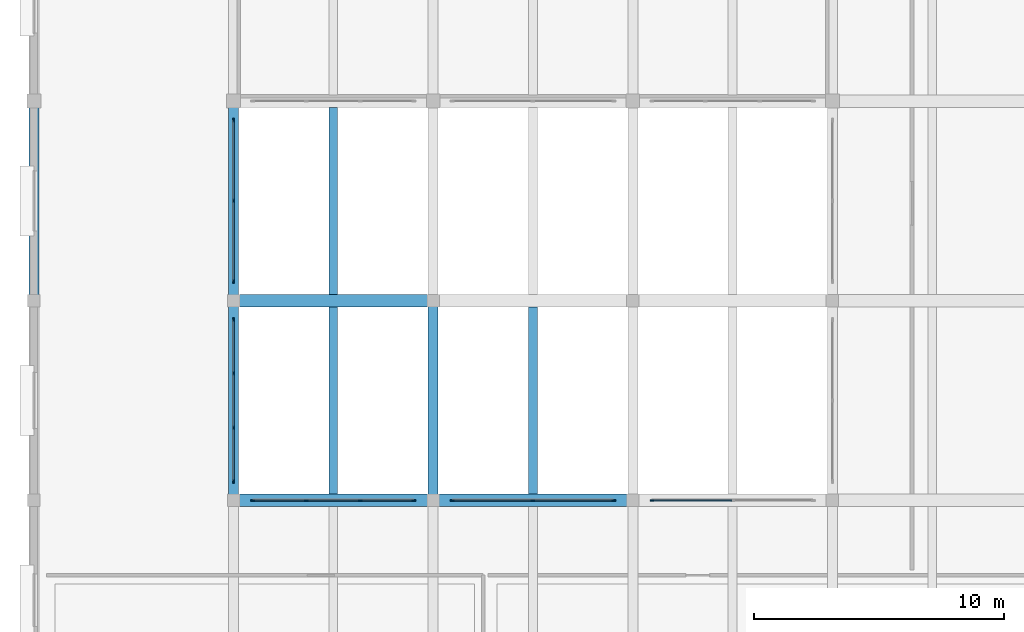
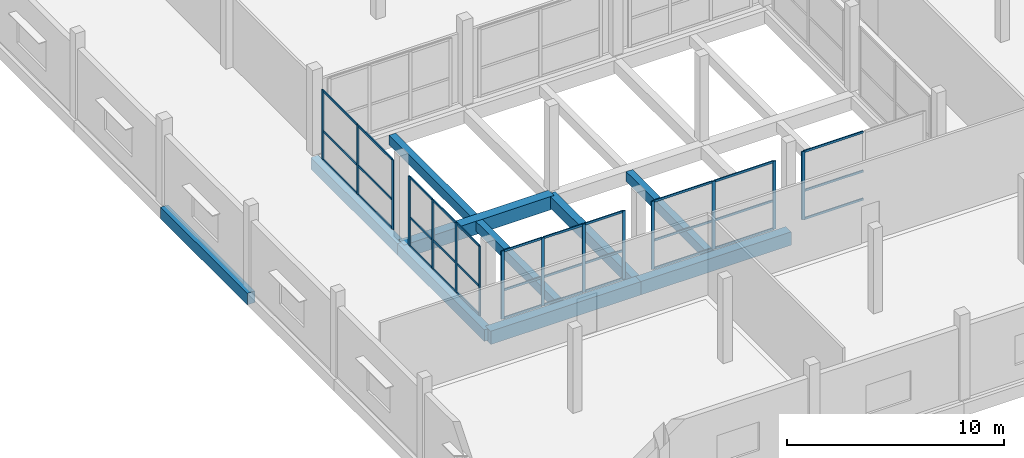
# One storey, part 4 of 47: 48 members, 10 beams, 5 elements without a shape of their own.
"""IFC4 building model written with IfcOpenShell, lengths in metres."""

from ifc_helpers import new_model, si_unit, direction, frame, origin, origin_2d, place, context, subcontext, project, spatial, rectangle, extrude, material, material_profile, profile_set, type_object, element, aggregate, save


model = new_model("IFC4")

# Units and contexts
model_context = context("Model", 3, precision=1e-05, world=origin(), true_north=direction((0.0, 1.0)))
body_context = subcontext(model_context, "Body", "Model", "MODEL_VIEW")
ifc_project = project(units=[si_unit("LENGTHUNIT", "METRE"), si_unit("AREAUNIT", "SQUARE_METRE"), si_unit("VOLUMEUNIT", "CUBIC_METRE"), si_unit("PLANEANGLEUNIT", "RADIAN"), si_unit("MASSUNIT", "GRAM", prefix="KILO")], contexts=[model_context])

# Site, building, storey
site_placement = place(None, origin())
site = spatial("IfcSite", under=ifc_project, at=site_placement, CompositionType="ELEMENT")
building_placement = place(site_placement, origin())
building = spatial("IfcBuilding", under=site, at=building_placement, Name="Vharandega Faculty of Natural Sciences", CompositionType="ELEMENT")
storey_placement = place(building_placement, frame((0.0, 0.0, 5.39990234375)))
storey = spatial("IfcBuildingStorey", under=building, at=storey_placement, Name="L01", CompositionType="ELEMENT", Elevation=5.39990234375)

# Curtain wall, members
ifc_material_1 = material(Name="Aluminium and solar-control glass curtain wall", Category="aluminium")
curtain_wall_type_1 = type_object("IfcCurtainWallType", Name="Unitised Curtain Wall System CW-10", PredefinedType="NOTDEFINED", material=ifc_material_1)
curtain_wall_1_placement = place(storey_placement, origin())
curtain_wall_1 = element("IfcCurtainWall", 1, at=curtain_wall_1_placement, inside=storey, type_object=curtain_wall_type_1, Name="Curtain Wall CW-L01-121", PredefinedType="NOTDEFINED")
ifc_material_2 = material(Name="Thermally broken aluminium 6063-T6", Category="aluminium")
ifc_material_profile_1 = material_profile(ifc_material_2, rectangle(XDim=0.06005859375, YDim=0.159912109375, at=origin_2d()), Name="ALU 60x160")
ifc_profile_set_1 = profile_set([ifc_material_profile_1], Name="Thermally broken aluminium 6063-T6")
member_type_1 = type_object("IfcMemberType", Name="CW Mullion 60x160", PredefinedType="MULLION", material=ifc_profile_set_1)
member_1_placement = place(storey_placement, frame((8.77001953125, 16.0, 0.0), z_axis=(0.0, 0.0, 1.0), x_axis=(0.0, 1.0, 0.0)))
member_1 = element("IfcMember", 2, at=member_1_placement, type_object=member_type_1, Name="CW-10 mullion 1", PredefinedType="MULLION", context=body_context, shape_type="SweptSolid", body=[
    extrude(rectangle(XDim=0.06005859375, YDim=0.159912109375, at=origin_2d()), origin(), (0.0, 0.0, 1.0), 3.840087890625),
])
member_2_placement = place(storey_placement, frame((10.913330078125, 16.0, 0.0), z_axis=(0.0, 0.0, 1.0), x_axis=(0.0, 1.0, 0.0)))
member_2 = element("IfcMember", 3, at=member_2_placement, type_object=member_type_1, Name="CW-10 mullion 2", PredefinedType="MULLION", context=body_context, shape_type="SweptSolid", body=[
    extrude(rectangle(XDim=0.06005859375, YDim=0.159912109375, at=origin_2d()), origin(), (0.0, 0.0, 1.0), 3.840087890625),
])
member_3_placement = place(storey_placement, frame((13.086669921875, 16.0, 0.0), z_axis=(0.0, 0.0, 1.0), x_axis=(0.0, 1.0, 0.0)))
member_3 = element("IfcMember", 4, at=member_3_placement, type_object=member_type_1, Name="CW-10 mullion 3", PredefinedType="MULLION", context=body_context, shape_type="SweptSolid", body=[
    extrude(rectangle(XDim=0.06005859375, YDim=0.159912109375, at=origin_2d()), origin(), (0.0, 0.0, 1.0), 3.840087890625),
])
member_4_placement = place(storey_placement, frame((15.22998046875, 16.0, 0.0), z_axis=(0.0, 0.0, 1.0), x_axis=(0.0, 1.0, 0.0)))
member_4 = element("IfcMember", 5, at=member_4_placement, type_object=member_type_1, Name="CW-10 mullion 4", PredefinedType="MULLION", context=body_context, shape_type="SweptSolid", body=[
    extrude(rectangle(XDim=0.06005859375, YDim=0.159912109375, at=origin_2d()), origin(), (0.0, 0.0, 1.0), 3.840087890625),
])

ifc_material_3 = material(Name="Aluminium and solar-control glass curtain wall", Category="aluminium")
curtain_wall_type_2 = type_object("IfcCurtainWallType", Name="Unitised Curtain Wall System CW-12", PredefinedType="NOTDEFINED", material=ifc_material_3)
curtain_wall_2_placement = place(storey_placement, origin())
curtain_wall_2 = element("IfcCurtainWall", 6, at=curtain_wall_2_placement, inside=storey, type_object=curtain_wall_type_2, Name="Curtain Wall CW-L01-123", PredefinedType="NOTDEFINED")
member_5_placement = place(storey_placement, frame((16.77001953125, 16.0, 0.0), z_axis=(0.0, 0.0, 1.0), x_axis=(0.0, 1.0, 0.0)))
member_5 = element("IfcMember", 7, at=member_5_placement, type_object=member_type_1, Name="CW-12 mullion 1", PredefinedType="MULLION", context=body_context, shape_type="SweptSolid", body=[
    extrude(rectangle(XDim=0.06005859375, YDim=0.159912109375, at=origin_2d()), origin(), (0.0, 0.0, 1.0), 3.840087890625),
])
member_6_placement = place(storey_placement, frame((20.0, 16.0, 0.0), z_axis=(0.0, 0.0, 1.0), x_axis=(0.0, 1.0, 0.0)))
member_6 = element("IfcMember", 8, at=member_6_placement, type_object=member_type_1, Name="CW-12 mullion 2", PredefinedType="MULLION", context=body_context, shape_type="SweptSolid", body=[
    extrude(rectangle(XDim=0.06005859375, YDim=0.159912109375, at=origin_2d()), origin(), (0.0, 0.0, 1.0), 3.840087890625),
])
member_7_placement = place(storey_placement, frame((23.22998046875, 16.0, 0.0), z_axis=(0.0, 0.0, 1.0), x_axis=(0.0, 1.0, 0.0)))
member_7 = element("IfcMember", 9, at=member_7_placement, type_object=member_type_1, Name="CW-12 mullion 3", PredefinedType="MULLION", context=body_context, shape_type="SweptSolid", body=[
    extrude(rectangle(XDim=0.06005859375, YDim=0.159912109375, at=origin_2d()), origin(), (0.0, 0.0, 1.0), 3.840087890625),
])

# Curtain wall, member
ifc_material_4 = material(Name="Aluminium and solar-control glass curtain wall", Category="aluminium")
curtain_wall_type_3 = type_object("IfcCurtainWallType", Name="Unitised Curtain Wall System CW-14", PredefinedType="NOTDEFINED", material=ifc_material_4)
curtain_wall_3_placement = place(storey_placement, origin())
curtain_wall_3 = element("IfcCurtainWall", 10, at=curtain_wall_3_placement, inside=storey, type_object=curtain_wall_type_3, Name="Curtain Wall CW-L01-125", PredefinedType="NOTDEFINED")
member_8_placement = place(storey_placement, frame((24.77001953125, 16.0, 0.0), z_axis=(0.0, 0.0, 1.0), x_axis=(0.0, 1.0, 0.0)))
member_8 = element("IfcMember", 11, at=member_8_placement, type_object=member_type_1, Name="CW-14 mullion 1", PredefinedType="MULLION", context=body_context, shape_type="SweptSolid", body=[
    extrude(rectangle(XDim=0.06005859375, YDim=0.159912109375, at=origin_2d()), origin(), (0.0, 0.0, 1.0), 3.840087890625),
])

# Curtain wall, members
ifc_material_5 = material(Name="Aluminium and solar-control glass curtain wall", Category="aluminium")
curtain_wall_type_4 = type_object("IfcCurtainWallType", Name="Unitised Curtain Wall System CW-16", PredefinedType="NOTDEFINED", material=ifc_material_5)
curtain_wall_4_placement = place(storey_placement, origin())
curtain_wall_4 = element("IfcCurtainWall", 12, at=curtain_wall_4_placement, inside=storey, type_object=curtain_wall_type_4, Name="Curtain Wall CW-L01-127", PredefinedType="NOTDEFINED")
member_9_placement = place(storey_placement, frame((8.0, 16.77001953125, 0.0), z_axis=(0.0, 0.0, 1.0), x_axis=(-1.0, 0.0, 0.0)))
member_9 = element("IfcMember", 13, at=member_9_placement, type_object=member_type_1, Name="CW-16 mullion 1", PredefinedType="MULLION", context=body_context, shape_type="SweptSolid", body=[
    extrude(rectangle(XDim=0.06005859375, YDim=0.159912109375, at=origin_2d()), origin(), (0.0, 0.0, 1.0), 3.920166015625),
])
member_10_placement = place(storey_placement, frame((8.0, 18.913330078125, 0.0), z_axis=(0.0, 0.0, 1.0), x_axis=(-1.0, 0.0, 0.0)))
member_10 = element("IfcMember", 14, at=member_10_placement, type_object=member_type_1, Name="CW-16 mullion 2", PredefinedType="MULLION", context=body_context, shape_type="SweptSolid", body=[
    extrude(rectangle(XDim=0.06005859375, YDim=0.159912109375, at=origin_2d()), origin(), (0.0, 0.0, 1.0), 3.920166015625),
])
member_11_placement = place(storey_placement, frame((8.0, 21.086669921875, 0.0), z_axis=(0.0, 0.0, 1.0), x_axis=(-1.0, 0.0, 0.0)))
member_11 = element("IfcMember", 15, at=member_11_placement, type_object=member_type_1, Name="CW-16 mullion 3", PredefinedType="MULLION", context=body_context, shape_type="SweptSolid", body=[
    extrude(rectangle(XDim=0.06005859375, YDim=0.159912109375, at=origin_2d()), origin(), (0.0, 0.0, 1.0), 3.920166015625),
])
member_12_placement = place(storey_placement, frame((8.0, 23.22998046875, 0.0), z_axis=(0.0, 0.0, 1.0), x_axis=(-1.0, 0.0, 0.0)))
member_12 = element("IfcMember", 16, at=member_12_placement, type_object=member_type_1, Name="CW-16 mullion 4", PredefinedType="MULLION", context=body_context, shape_type="SweptSolid", body=[
    extrude(rectangle(XDim=0.06005859375, YDim=0.159912109375, at=origin_2d()), origin(), (0.0, 0.0, 1.0), 3.920166015625),
])

ifc_material_6 = material(Name="Aluminium and solar-control glass curtain wall", Category="aluminium")
curtain_wall_type_5 = type_object("IfcCurtainWallType", Name="Unitised Curtain Wall System CW-18", PredefinedType="NOTDEFINED", material=ifc_material_6)
curtain_wall_5_placement = place(storey_placement, origin())
curtain_wall_5 = element("IfcCurtainWall", 17, at=curtain_wall_5_placement, inside=storey, type_object=curtain_wall_type_5, Name="Curtain Wall CW-L01-129", PredefinedType="NOTDEFINED")
member_13_placement = place(storey_placement, frame((8.0, 24.77001953125, 0.0), z_axis=(0.0, 0.0, 1.0), x_axis=(-1.0, 0.0, 0.0)))
member_13 = element("IfcMember", 18, at=member_13_placement, type_object=member_type_1, Name="CW-18 mullion 1", PredefinedType="MULLION", context=body_context, shape_type="SweptSolid", body=[
    extrude(rectangle(XDim=0.06005859375, YDim=0.159912109375, at=origin_2d()), origin(), (0.0, 0.0, 1.0), 3.920166015625),
])
member_14_placement = place(storey_placement, frame((8.0, 28.0, 0.0), z_axis=(0.0, 0.0, 1.0), x_axis=(-1.0, 0.0, 0.0)))
member_14 = element("IfcMember", 19, at=member_14_placement, type_object=member_type_1, Name="CW-18 mullion 2", PredefinedType="MULLION", context=body_context, shape_type="SweptSolid", body=[
    extrude(rectangle(XDim=0.06005859375, YDim=0.159912109375, at=origin_2d()), origin(), (0.0, 0.0, 1.0), 3.920166015625),
])
member_15_placement = place(storey_placement, frame((8.0, 31.22998046875, 0.0), z_axis=(0.0, 0.0, 1.0), x_axis=(-1.0, 0.0, 0.0)))
member_15 = element("IfcMember", 20, at=member_15_placement, type_object=member_type_1, Name="CW-18 mullion 3", PredefinedType="MULLION", context=body_context, shape_type="SweptSolid", body=[
    extrude(rectangle(XDim=0.06005859375, YDim=0.159912109375, at=origin_2d()), origin(), (0.0, 0.0, 1.0), 3.920166015625),
])

# Member
ifc_material_7 = material(Name="Thermally broken aluminium 6063-T6", Category="aluminium")
ifc_material_profile_2 = material_profile(ifc_material_7, rectangle(XDim=0.06005859375, YDim=0.1201171875, at=origin_2d()), Name="ALU 60x120")
ifc_profile_set_2 = profile_set([ifc_material_profile_2], Name="Thermally broken aluminium 6063-T6")
member_type_2 = type_object("IfcMemberType", Name="CW Transom 60x120", PredefinedType="USERDEFINED", material=ifc_profile_set_2)
member_16_placement = place(storey_placement, frame((8.800048828125, 16.0, 0.030029296875), z_axis=(1.0, 0.0, 0.0), x_axis=(0.0, 1.0, 0.0)))
member_16 = element("IfcMember", 21, at=member_16_placement, type_object=member_type_2, Name="CW-10 transom 1.1", ObjectType="TRANSOM", PredefinedType="USERDEFINED", context=body_context, shape_type="SweptSolid", body=[
    extrude(rectangle(XDim=0.06005859375, YDim=0.1201171875, at=origin_2d()), origin(), (0.0, 0.0, 1.0), 2.083251953125),
])

member_17_placement = place(storey_placement, frame((8.800048828125, 16.0, 1.61279296875), z_axis=(1.0, 0.0, 0.0), x_axis=(0.0, 1.0, 0.0)))
member_17 = element("IfcMember", 22, at=member_17_placement, type_object=member_type_2, Name="CW-10 transom 1.2", ObjectType="TRANSOM", PredefinedType="USERDEFINED", context=body_context, shape_type="SweptSolid", body=[
    extrude(rectangle(XDim=0.06005859375, YDim=0.1201171875, at=origin_2d()), origin(), (0.0, 0.0, 1.0), 2.083251953125),
])

member_18_placement = place(storey_placement, frame((8.800048828125, 16.0, 3.81005859375), z_axis=(1.0, 0.0, 0.0), x_axis=(0.0, 1.0, 0.0)))
member_18 = element("IfcMember", 23, at=member_18_placement, type_object=member_type_2, Name="CW-10 transom 1.3", ObjectType="TRANSOM", PredefinedType="USERDEFINED", context=body_context, shape_type="SweptSolid", body=[
    extrude(rectangle(XDim=0.06005859375, YDim=0.1201171875, at=origin_2d()), origin(), (0.0, 0.0, 1.0), 2.083251953125),
])

member_19_placement = place(storey_placement, frame((10.943359375, 16.0, 0.030029296875), z_axis=(1.0, 0.0, 0.0), x_axis=(0.0, 1.0, 0.0)))
member_19 = element("IfcMember", 24, at=member_19_placement, type_object=member_type_2, Name="CW-10 transom 2.1", ObjectType="TRANSOM", PredefinedType="USERDEFINED", context=body_context, shape_type="SweptSolid", body=[
    extrude(rectangle(XDim=0.06005859375, YDim=0.1201171875, at=origin_2d()), origin(), (0.0, 0.0, 1.0), 2.11328125),
])

member_20_placement = place(storey_placement, frame((10.943359375, 16.0, 1.61279296875), z_axis=(1.0, 0.0, 0.0), x_axis=(0.0, 1.0, 0.0)))
member_20 = element("IfcMember", 25, at=member_20_placement, type_object=member_type_2, Name="CW-10 transom 2.2", ObjectType="TRANSOM", PredefinedType="USERDEFINED", context=body_context, shape_type="SweptSolid", body=[
    extrude(rectangle(XDim=0.06005859375, YDim=0.1201171875, at=origin_2d()), origin(), (0.0, 0.0, 1.0), 2.11328125),
])

member_21_placement = place(storey_placement, frame((10.943359375, 16.0, 3.81005859375), z_axis=(1.0, 0.0, 0.0), x_axis=(0.0, 1.0, 0.0)))
member_21 = element("IfcMember", 26, at=member_21_placement, type_object=member_type_2, Name="CW-10 transom 2.3", ObjectType="TRANSOM", PredefinedType="USERDEFINED", context=body_context, shape_type="SweptSolid", body=[
    extrude(rectangle(XDim=0.06005859375, YDim=0.1201171875, at=origin_2d()), origin(), (0.0, 0.0, 1.0), 2.11328125),
])

member_22_placement = place(storey_placement, frame((13.11669921875, 16.0, 0.030029296875), z_axis=(1.0, 0.0, 0.0), x_axis=(0.0, 1.0, 0.0)))
member_22 = element("IfcMember", 27, at=member_22_placement, type_object=member_type_2, Name="CW-10 transom 3.1", ObjectType="TRANSOM", PredefinedType="USERDEFINED", context=body_context, shape_type="SweptSolid", body=[
    extrude(rectangle(XDim=0.06005859375, YDim=0.1201171875, at=origin_2d()), origin(), (0.0, 0.0, 1.0), 2.083251953125),
])

member_23_placement = place(storey_placement, frame((13.11669921875, 16.0, 1.61279296875), z_axis=(1.0, 0.0, 0.0), x_axis=(0.0, 1.0, 0.0)))
member_23 = element("IfcMember", 28, at=member_23_placement, type_object=member_type_2, Name="CW-10 transom 3.2", ObjectType="TRANSOM", PredefinedType="USERDEFINED", context=body_context, shape_type="SweptSolid", body=[
    extrude(rectangle(XDim=0.06005859375, YDim=0.1201171875, at=origin_2d()), origin(), (0.0, 0.0, 1.0), 2.083251953125),
])

member_24_placement = place(storey_placement, frame((13.11669921875, 16.0, 3.81005859375), z_axis=(1.0, 0.0, 0.0), x_axis=(0.0, 1.0, 0.0)))
member_24 = element("IfcMember", 29, at=member_24_placement, type_object=member_type_2, Name="CW-10 transom 3.3", ObjectType="TRANSOM", PredefinedType="USERDEFINED", context=body_context, shape_type="SweptSolid", body=[
    extrude(rectangle(XDim=0.06005859375, YDim=0.1201171875, at=origin_2d()), origin(), (0.0, 0.0, 1.0), 2.083251953125),
])

aggregate(curtain_wall_1, [member_1, member_2, member_3, member_4, member_16, member_17, member_18, member_19, member_20, member_21, member_22, member_23, member_24])

member_25_placement = place(storey_placement, frame((16.800048828125, 16.0, 0.030029296875), z_axis=(1.0, 0.0, 0.0), x_axis=(0.0, 1.0, 0.0)))
member_25 = element("IfcMember", 30, at=member_25_placement, type_object=member_type_2, Name="CW-12 transom 1.1", ObjectType="TRANSOM", PredefinedType="USERDEFINED", context=body_context, shape_type="SweptSolid", body=[
    extrude(rectangle(XDim=0.06005859375, YDim=0.1201171875, at=origin_2d()), origin(), (0.0, 0.0, 1.0), 3.169921875),
])

member_26_placement = place(storey_placement, frame((16.800048828125, 16.0, 1.61279296875), z_axis=(1.0, 0.0, 0.0), x_axis=(0.0, 1.0, 0.0)))
member_26 = element("IfcMember", 31, at=member_26_placement, type_object=member_type_2, Name="CW-12 transom 1.2", ObjectType="TRANSOM", PredefinedType="USERDEFINED", context=body_context, shape_type="SweptSolid", body=[
    extrude(rectangle(XDim=0.06005859375, YDim=0.1201171875, at=origin_2d()), origin(), (0.0, 0.0, 1.0), 3.169921875),
])

member_27_placement = place(storey_placement, frame((16.800048828125, 16.0, 3.81005859375), z_axis=(1.0, 0.0, 0.0), x_axis=(0.0, 1.0, 0.0)))
member_27 = element("IfcMember", 32, at=member_27_placement, type_object=member_type_2, Name="CW-12 transom 1.3", ObjectType="TRANSOM", PredefinedType="USERDEFINED", context=body_context, shape_type="SweptSolid", body=[
    extrude(rectangle(XDim=0.06005859375, YDim=0.1201171875, at=origin_2d()), origin(), (0.0, 0.0, 1.0), 3.169921875),
])

member_28_placement = place(storey_placement, frame((20.030029296875, 16.0, 0.030029296875), z_axis=(1.0, 0.0, 0.0), x_axis=(0.0, 1.0, 0.0)))
member_28 = element("IfcMember", 33, at=member_28_placement, type_object=member_type_2, Name="CW-12 transom 2.1", ObjectType="TRANSOM", PredefinedType="USERDEFINED", context=body_context, shape_type="SweptSolid", body=[
    extrude(rectangle(XDim=0.06005859375, YDim=0.1201171875, at=origin_2d()), origin(), (0.0, 0.0, 1.0), 3.169921875),
])

member_29_placement = place(storey_placement, frame((20.030029296875, 16.0, 1.61279296875), z_axis=(1.0, 0.0, 0.0), x_axis=(0.0, 1.0, 0.0)))
member_29 = element("IfcMember", 34, at=member_29_placement, type_object=member_type_2, Name="CW-12 transom 2.2", ObjectType="TRANSOM", PredefinedType="USERDEFINED", context=body_context, shape_type="SweptSolid", body=[
    extrude(rectangle(XDim=0.06005859375, YDim=0.1201171875, at=origin_2d()), origin(), (0.0, 0.0, 1.0), 3.169921875),
])

member_30_placement = place(storey_placement, frame((20.030029296875, 16.0, 3.81005859375), z_axis=(1.0, 0.0, 0.0), x_axis=(0.0, 1.0, 0.0)))
member_30 = element("IfcMember", 35, at=member_30_placement, type_object=member_type_2, Name="CW-12 transom 2.3", ObjectType="TRANSOM", PredefinedType="USERDEFINED", context=body_context, shape_type="SweptSolid", body=[
    extrude(rectangle(XDim=0.06005859375, YDim=0.1201171875, at=origin_2d()), origin(), (0.0, 0.0, 1.0), 3.169921875),
])

aggregate(curtain_wall_2, [member_5, member_6, member_7, member_25, member_26, member_27, member_28, member_29, member_30])

member_31_placement = place(storey_placement, frame((24.800048828125, 16.0, 0.030029296875), z_axis=(1.0, 0.0, 0.0), x_axis=(0.0, 1.0, 0.0)))
member_31 = element("IfcMember", 36, at=member_31_placement, type_object=member_type_2, Name="CW-14 transom 1.1", ObjectType="TRANSOM", PredefinedType="USERDEFINED", context=body_context, shape_type="SweptSolid", body=[
    extrude(rectangle(XDim=0.06005859375, YDim=0.1201171875, at=origin_2d()), origin(), (0.0, 0.0, 1.0), 3.169921875),
])

member_32_placement = place(storey_placement, frame((24.800048828125, 16.0, 1.61279296875), z_axis=(1.0, 0.0, 0.0), x_axis=(0.0, 1.0, 0.0)))
member_32 = element("IfcMember", 37, at=member_32_placement, type_object=member_type_2, Name="CW-14 transom 1.2", ObjectType="TRANSOM", PredefinedType="USERDEFINED", context=body_context, shape_type="SweptSolid", body=[
    extrude(rectangle(XDim=0.06005859375, YDim=0.1201171875, at=origin_2d()), origin(), (0.0, 0.0, 1.0), 3.169921875),
])

member_33_placement = place(storey_placement, frame((24.800048828125, 16.0, 3.81005859375), z_axis=(1.0, 0.0, 0.0), x_axis=(0.0, 1.0, 0.0)))
member_33 = element("IfcMember", 38, at=member_33_placement, type_object=member_type_2, Name="CW-14 transom 1.3", ObjectType="TRANSOM", PredefinedType="USERDEFINED", context=body_context, shape_type="SweptSolid", body=[
    extrude(rectangle(XDim=0.06005859375, YDim=0.1201171875, at=origin_2d()), origin(), (0.0, 0.0, 1.0), 3.169921875),
])

aggregate(curtain_wall_3, [member_8, member_31, member_32, member_33])

member_34_placement = place(storey_placement, frame((8.0, 16.800048828125, 0.030029296875), z_axis=(0.0, 1.0, 0.0), x_axis=(-1.0, 0.0, 0.0)))
member_34 = element("IfcMember", 39, at=member_34_placement, type_object=member_type_2, Name="CW-16 transom 1.1", ObjectType="TRANSOM", PredefinedType="USERDEFINED", context=body_context, shape_type="SweptSolid", body=[
    extrude(rectangle(XDim=0.06005859375, YDim=0.1201171875, at=origin_2d()), origin(), (0.0, 0.0, 1.0), 2.083251953125),
])

member_35_placement = place(storey_placement, frame((8.0, 16.800048828125, 1.646484375), z_axis=(0.0, 1.0, 0.0), x_axis=(-1.0, 0.0, 0.0)))
member_35 = element("IfcMember", 40, at=member_35_placement, type_object=member_type_2, Name="CW-16 transom 1.2", ObjectType="TRANSOM", PredefinedType="USERDEFINED", context=body_context, shape_type="SweptSolid", body=[
    extrude(rectangle(XDim=0.06005859375, YDim=0.1201171875, at=origin_2d()), origin(), (0.0, 0.0, 1.0), 2.083251953125),
])

member_36_placement = place(storey_placement, frame((8.0, 16.800048828125, 3.89013671875), z_axis=(0.0, 1.0, 0.0), x_axis=(-1.0, 0.0, 0.0)))
member_36 = element("IfcMember", 41, at=member_36_placement, type_object=member_type_2, Name="CW-16 transom 1.3", ObjectType="TRANSOM", PredefinedType="USERDEFINED", context=body_context, shape_type="SweptSolid", body=[
    extrude(rectangle(XDim=0.06005859375, YDim=0.1201171875, at=origin_2d()), origin(), (0.0, 0.0, 1.0), 2.083251953125),
])

member_37_placement = place(storey_placement, frame((8.0, 18.943359375, 0.030029296875), z_axis=(0.0, 1.0, 0.0), x_axis=(-1.0, 0.0, 0.0)))
member_37 = element("IfcMember", 42, at=member_37_placement, type_object=member_type_2, Name="CW-16 transom 2.1", ObjectType="TRANSOM", PredefinedType="USERDEFINED", context=body_context, shape_type="SweptSolid", body=[
    extrude(rectangle(XDim=0.06005859375, YDim=0.1201171875, at=origin_2d()), origin(), (0.0, 0.0, 1.0), 2.11328125),
])

member_38_placement = place(storey_placement, frame((8.0, 18.943359375, 1.646484375), z_axis=(0.0, 1.0, 0.0), x_axis=(-1.0, 0.0, 0.0)))
member_38 = element("IfcMember", 43, at=member_38_placement, type_object=member_type_2, Name="CW-16 transom 2.2", ObjectType="TRANSOM", PredefinedType="USERDEFINED", context=body_context, shape_type="SweptSolid", body=[
    extrude(rectangle(XDim=0.06005859375, YDim=0.1201171875, at=origin_2d()), origin(), (0.0, 0.0, 1.0), 2.11328125),
])

member_39_placement = place(storey_placement, frame((8.0, 18.943359375, 3.89013671875), z_axis=(0.0, 1.0, 0.0), x_axis=(-1.0, 0.0, 0.0)))
member_39 = element("IfcMember", 44, at=member_39_placement, type_object=member_type_2, Name="CW-16 transom 2.3", ObjectType="TRANSOM", PredefinedType="USERDEFINED", context=body_context, shape_type="SweptSolid", body=[
    extrude(rectangle(XDim=0.06005859375, YDim=0.1201171875, at=origin_2d()), origin(), (0.0, 0.0, 1.0), 2.11328125),
])

member_40_placement = place(storey_placement, frame((8.0, 21.11669921875, 0.030029296875), z_axis=(0.0, 1.0, 0.0), x_axis=(-1.0, 0.0, 0.0)))
member_40 = element("IfcMember", 45, at=member_40_placement, type_object=member_type_2, Name="CW-16 transom 3.1", ObjectType="TRANSOM", PredefinedType="USERDEFINED", context=body_context, shape_type="SweptSolid", body=[
    extrude(rectangle(XDim=0.06005859375, YDim=0.1201171875, at=origin_2d()), origin(), (0.0, 0.0, 1.0), 2.083251953125),
])

member_41_placement = place(storey_placement, frame((8.0, 21.11669921875, 1.646484375), z_axis=(0.0, 1.0, 0.0), x_axis=(-1.0, 0.0, 0.0)))
member_41 = element("IfcMember", 46, at=member_41_placement, type_object=member_type_2, Name="CW-16 transom 3.2", ObjectType="TRANSOM", PredefinedType="USERDEFINED", context=body_context, shape_type="SweptSolid", body=[
    extrude(rectangle(XDim=0.06005859375, YDim=0.1201171875, at=origin_2d()), origin(), (0.0, 0.0, 1.0), 2.083251953125),
])

member_42_placement = place(storey_placement, frame((8.0, 21.11669921875, 3.89013671875), z_axis=(0.0, 1.0, 0.0), x_axis=(-1.0, 0.0, 0.0)))
member_42 = element("IfcMember", 47, at=member_42_placement, type_object=member_type_2, Name="CW-16 transom 3.3", ObjectType="TRANSOM", PredefinedType="USERDEFINED", context=body_context, shape_type="SweptSolid", body=[
    extrude(rectangle(XDim=0.06005859375, YDim=0.1201171875, at=origin_2d()), origin(), (0.0, 0.0, 1.0), 2.083251953125),
])

aggregate(curtain_wall_4, [member_9, member_10, member_11, member_12, member_34, member_35, member_36, member_37, member_38, member_39, member_40, member_41, member_42])

member_43_placement = place(storey_placement, frame((8.0, 24.800048828125, 0.030029296875), z_axis=(0.0, 1.0, 0.0), x_axis=(-1.0, 0.0, 0.0)))
member_43 = element("IfcMember", 48, at=member_43_placement, type_object=member_type_2, Name="CW-18 transom 1.1", ObjectType="TRANSOM", PredefinedType="USERDEFINED", context=body_context, shape_type="SweptSolid", body=[
    extrude(rectangle(XDim=0.06005859375, YDim=0.1201171875, at=origin_2d()), origin(), (0.0, 0.0, 1.0), 3.169921875),
])

member_44_placement = place(storey_placement, frame((8.0, 24.800048828125, 1.646484375), z_axis=(0.0, 1.0, 0.0), x_axis=(-1.0, 0.0, 0.0)))
member_44 = element("IfcMember", 49, at=member_44_placement, type_object=member_type_2, Name="CW-18 transom 1.2", ObjectType="TRANSOM", PredefinedType="USERDEFINED", context=body_context, shape_type="SweptSolid", body=[
    extrude(rectangle(XDim=0.06005859375, YDim=0.1201171875, at=origin_2d()), origin(), (0.0, 0.0, 1.0), 3.169921875),
])

member_45_placement = place(storey_placement, frame((8.0, 24.800048828125, 3.89013671875), z_axis=(0.0, 1.0, 0.0), x_axis=(-1.0, 0.0, 0.0)))
member_45 = element("IfcMember", 50, at=member_45_placement, type_object=member_type_2, Name="CW-18 transom 1.3", ObjectType="TRANSOM", PredefinedType="USERDEFINED", context=body_context, shape_type="SweptSolid", body=[
    extrude(rectangle(XDim=0.06005859375, YDim=0.1201171875, at=origin_2d()), origin(), (0.0, 0.0, 1.0), 3.169921875),
])

member_46_placement = place(storey_placement, frame((8.0, 28.030029296875, 0.030029296875), z_axis=(0.0, 1.0, 0.0), x_axis=(-1.0, 0.0, 0.0)))
member_46 = element("IfcMember", 51, at=member_46_placement, type_object=member_type_2, Name="CW-18 transom 2.1", ObjectType="TRANSOM", PredefinedType="USERDEFINED", context=body_context, shape_type="SweptSolid", body=[
    extrude(rectangle(XDim=0.06005859375, YDim=0.1201171875, at=origin_2d()), origin(), (0.0, 0.0, 1.0), 3.169921875),
])

member_47_placement = place(storey_placement, frame((8.0, 28.030029296875, 1.646484375), z_axis=(0.0, 1.0, 0.0), x_axis=(-1.0, 0.0, 0.0)))
member_47 = element("IfcMember", 52, at=member_47_placement, type_object=member_type_2, Name="CW-18 transom 2.2", ObjectType="TRANSOM", PredefinedType="USERDEFINED", context=body_context, shape_type="SweptSolid", body=[
    extrude(rectangle(XDim=0.06005859375, YDim=0.1201171875, at=origin_2d()), origin(), (0.0, 0.0, 1.0), 3.169921875),
])

member_48_placement = place(storey_placement, frame((8.0, 28.030029296875, 3.89013671875), z_axis=(0.0, 1.0, 0.0), x_axis=(-1.0, 0.0, 0.0)))
member_48 = element("IfcMember", 53, at=member_48_placement, type_object=member_type_2, Name="CW-18 transom 2.3", ObjectType="TRANSOM", PredefinedType="USERDEFINED", context=body_context, shape_type="SweptSolid", body=[
    extrude(rectangle(XDim=0.06005859375, YDim=0.1201171875, at=origin_2d()), origin(), (0.0, 0.0, 1.0), 3.169921875),
])

aggregate(curtain_wall_5, [member_13, member_14, member_15, member_43, member_44, member_45, member_46, member_47, member_48])

# Beams
ifc_material_8 = material(Name="Concrete C40/50", Category="concrete")
ifc_material_profile_3 = material_profile(ifc_material_8, rectangle(XDim=0.39990234375, YDim=0.64990234375, at=origin_2d()), Name="RC 400x650")
ifc_profile_set_3 = profile_set([ifc_material_profile_3], Name="Concrete C40/50")
beam_type_1 = type_object("IfcBeamType", Name="Podium Floor Beam 400x650", PredefinedType="BEAM", material=ifc_profile_set_3)
for number, where, z_axis, x_axis, name in (
    (54, (0.0, 24.0, -0.60498046875), (0.0, 1.0, 0.0), (-1.0, 0.0, 0.0), "Beam L01 1/D-E"),
    (55, (8.0, 16.0, -0.60498046875), (0.0, 1.0, 0.0), (-1.0, 0.0, 0.0), "Beam L01 2/C-D"),
    (56, (8.0, 24.0, -0.60498046875), (0.0, 1.0, 0.0), (-1.0, 0.0, 0.0), "Beam L01 2/D-E"),
    (57, (16.0, 16.0, -0.60498046875), (0.0, 1.0, 0.0), (-1.0, 0.0, 0.0), "Beam L01 3/C-D"),
):
    element("IfcBeam", number, at=place(storey_placement, frame(where, z_axis=z_axis, x_axis=x_axis)), inside=storey, type_object=beam_type_1, Name=name, PredefinedType="BEAM", context=body_context, shape_type="SweptSolid", body=[
        extrude(rectangle(XDim=0.39990234375, YDim=0.64990234375, at=origin_2d()), origin(), (0.0, 0.0, 1.0), 8.0),
    ])
ifc_material_9 = material(Name="Concrete C40/50", Category="concrete")
ifc_material_profile_4 = material_profile(ifc_material_9, rectangle(XDim=0.5, YDim=0.75, at=origin_2d()), Name="RC 500x750")
ifc_profile_set_4 = profile_set([ifc_material_profile_4], Name="Concrete C40/50")
beam_type_2 = type_object("IfcBeamType", Name="Podium Primary Beam 500x750", PredefinedType="BEAM", material=ifc_profile_set_4)
for number, where, z_axis, x_axis, name in (
    (58, (8.0, 16.0, -0.65478515625), (1.0, 0.0, 0.0), (0.0, 1.0, 0.0), "Beam L01 C/2-3"),
    (59, (16.0, 16.0, -0.65478515625), (1.0, 0.0, 0.0), (0.0, 1.0, 0.0), "Beam L01 C/3-4"),
    (60, (8.0, 24.0, -0.65478515625), (1.0, 0.0, 0.0), (0.0, 1.0, 0.0), "Beam L01 D/2-3"),
):
    element("IfcBeam", number, at=place(storey_placement, frame(where, z_axis=z_axis, x_axis=x_axis)), inside=storey, type_object=beam_type_2, Name=name, PredefinedType="BEAM", context=body_context, shape_type="SweptSolid", body=[
        extrude(rectangle(XDim=0.5, YDim=0.75, at=origin_2d()), origin(), (0.0, 0.0, 1.0), 8.0),
    ])
ifc_material_10 = material(Name="Concrete C40/50", Category="concrete")
ifc_material_profile_5 = material_profile(ifc_material_10, rectangle(XDim=0.35009765625, YDim=0.550048828125, at=origin_2d()), Name="RC 350x550")
ifc_profile_set_5 = profile_set([ifc_material_profile_5], Name="Concrete C40/50")
beam_type_3 = type_object("IfcBeamType", Name="Podium Secondary Beam 350x550", PredefinedType="JOIST", material=ifc_profile_set_5)
for number, where, z_axis, x_axis, name in (
    (61, (12.0, 16.25, -0.554931640625), (0.0, 1.0, 0.0), (-1.0, 0.0, 0.0), "Secondary Joist L01 2-3/C-D"),
    (62, (12.0, 24.25, -0.554931640625), (0.0, 1.0, 0.0), (-1.0, 0.0, 0.0), "Secondary Joist L01 2-3/D-E"),
    (63, (20.0, 16.25, -0.554931640625), (0.0, 1.0, 0.0), (-1.0, 0.0, 0.0), "Secondary Joist L01 3-4/C-D"),
):
    element("IfcBeam", number, at=place(storey_placement, frame(where, z_axis=z_axis, x_axis=x_axis)), inside=storey, type_object=beam_type_3, Name=name, PredefinedType="JOIST", context=body_context, shape_type="SweptSolid", body=[
        extrude(rectangle(XDim=0.35009765625, YDim=0.550048828125, at=origin_2d()), origin(), (0.0, 0.0, 1.0), 7.5),
    ])

save(model, "model.ifc")
